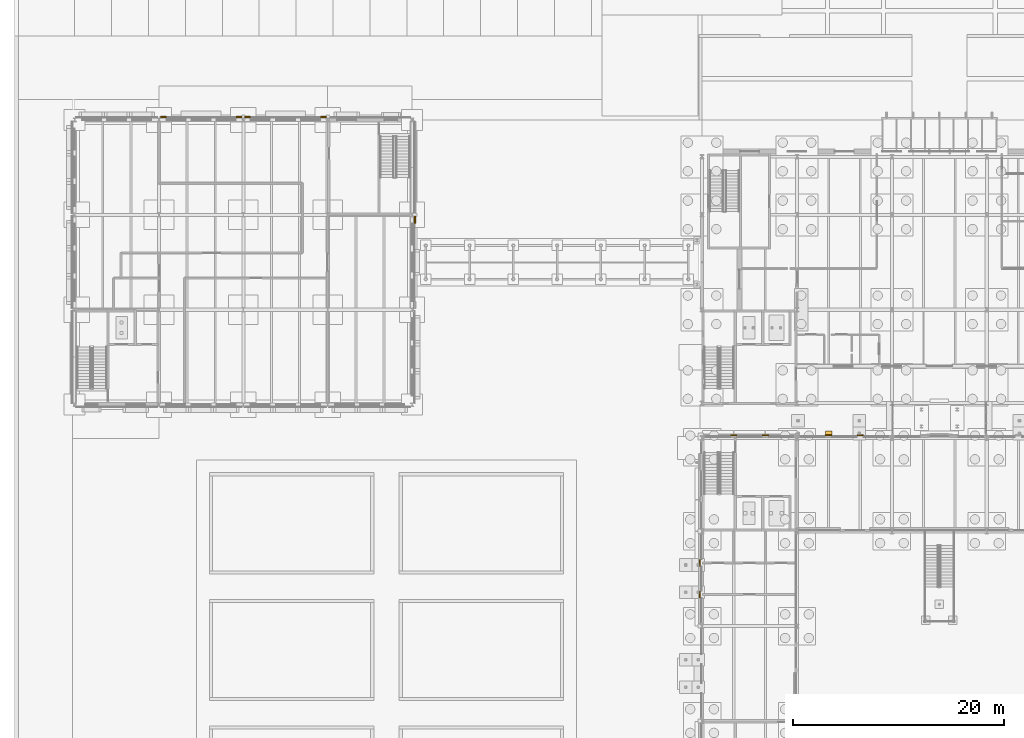
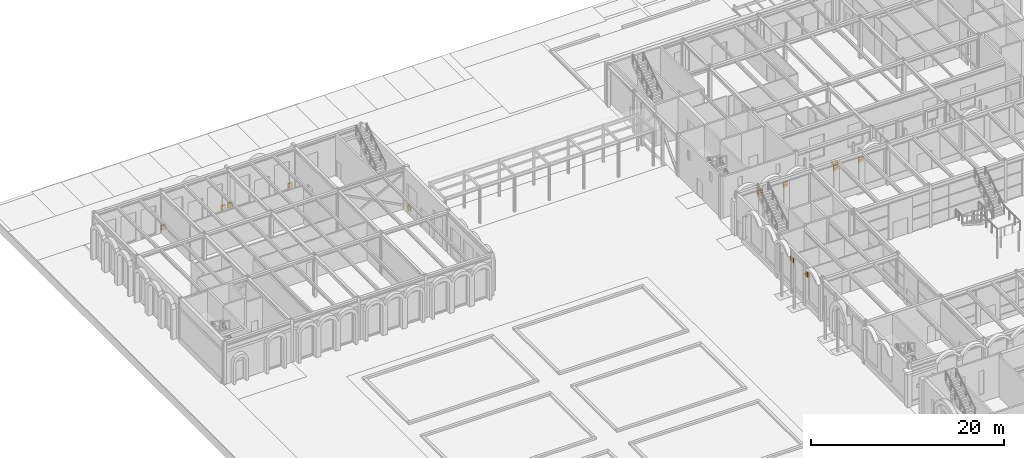
# One storey, part 123 of 126: 18 coverings.
"""IFC4 building model written with IfcOpenShell, lengths in metres."""

from ifc_helpers import new_model, si_unit, direction, frame, origin, origin_2d, place, context, subcontext, project, spatial, rectangle, extrude, material, layer, layer_set, type_object, element, save


model = new_model("IFC4")

# Units and contexts
model_context = context("Model", 3, precision=1e-05, world=origin(), true_north=direction((0.0, 1.0)))
body_context = subcontext(model_context, "Body", "Model", "MODEL_VIEW")
ifc_project = project(units=[si_unit("LENGTHUNIT", "METRE"), si_unit("AREAUNIT", "SQUARE_METRE"), si_unit("VOLUMEUNIT", "CUBIC_METRE"), si_unit("PLANEANGLEUNIT", "RADIAN"), si_unit("MASSUNIT", "GRAM", prefix="KILO")], contexts=[model_context])

# Site, building, storey
site_placement = place(None, origin())
site = spatial("IfcSite", under=ifc_project, at=site_placement, CompositionType="ELEMENT")
building_placement = place(site_placement, origin())
building = spatial("IfcBuilding", under=site, at=building_placement, Name="Kallimachos Central Library", CompositionType="ELEMENT")
storey_placement = place(building_placement, origin())
storey = spatial("IfcBuildingStorey", under=building, at=storey_placement, Name="L00", CompositionType="ELEMENT", Elevation=0.0)

# Coverings
ifc_material_1 = material(Name="Glazed ceramic frieze, green")
ifc_layer_1 = layer(ifc_material_1, 0.10009765625)
ifc_layer_set_1 = layer_set([ifc_layer_1], Name="Glazed ceramic frieze, green")
covering_type_1 = type_object("IfcCoveringType", Name="Glazed ceramic frieze, green", PredefinedType="CLADDING", material=ifc_layer_set_1)
for number, where, z_axis, x_axis, name in (
    (1, (68.5, 84.115966796875, 4.02978515625), (0.0, 0.0, 1.0), (1.0, 0.0, 0.0), "Glazed ceramic frieze, green -L00-020"),
    (2, (71.5, 84.115966796875, 4.02978515625), (0.0, 0.0, 1.0), (1.0, 0.0, 0.0), "Glazed ceramic frieze, green -L00-020"),
    (3, (77.5, 84.115966796875, 4.02978515625), (0.0, 0.0, 1.0), (1.0, 0.0, 0.0), "Glazed ceramic frieze, green -L00-021"),
    (4, (80.5, 84.115966796875, 4.02978515625), (0.0, 0.0, 1.0), (1.0, 0.0, 0.0), "Glazed ceramic frieze, green -L00-021"),
):
    element("IfcCovering", number, at=place(storey_placement, frame(where, z_axis=z_axis, x_axis=x_axis)), inside=storey, type_object=covering_type_1, Name=name, PredefinedType="CLADDING", context=body_context, shape_type="SweptSolid", body=[
        extrude(rectangle(XDim=0.60009765625, YDim=0.10009765625, at=origin_2d()), origin(), (0.0, 0.0, 1.0), 0.300048828125),
    ])
for number, where, z_axis, x_axis, name in (
    (5, (65.29541015625, 69.0, 4.02978515625), (0.0, 0.0, 1.0), (1.0, 0.0, 0.0), "Glazed ceramic frieze, green -L00-027"),
    (6, (65.29541015625, 72.0, 4.02978515625), (0.0, 0.0, 1.0), (1.0, 0.0, 0.0), "Glazed ceramic frieze, green -L00-027"),
):
    element("IfcCovering", number, at=place(storey_placement, frame(where, z_axis=z_axis, x_axis=x_axis)), inside=storey, type_object=covering_type_1, Name=name, PredefinedType="CLADDING", context=body_context, shape_type="SweptSolid", body=[
        extrude(rectangle(XDim=0.10009765625, YDim=0.60009765625, at=origin_2d()), origin(), (0.0, 0.0, 1.0), 0.300048828125),
    ])
ifc_material_2 = material(Name="Glazed ceramic frieze, ochre")
ifc_layer_2 = layer(ifc_material_2, 0.10009765625)
ifc_layer_set_2 = layer_set([ifc_layer_2], Name="Glazed ceramic frieze, ochre")
covering_type_2 = type_object("IfcCoveringType", Name="Glazed ceramic frieze, ochre", PredefinedType="CLADDING", material=ifc_layer_set_2)
for number, where, z_axis, x_axis, name in (
    (7, (68.5, 84.115966796875, 3.72998046875), (0.0, 0.0, 1.0), (1.0, 0.0, 0.0), "Glazed ceramic frieze, ochre -L00-020"),
    (8, (71.5, 84.115966796875, 3.72998046875), (0.0, 0.0, 1.0), (1.0, 0.0, 0.0), "Glazed ceramic frieze, ochre -L00-020"),
    (9, (77.5, 84.115966796875, 3.72998046875), (0.0, 0.0, 1.0), (1.0, 0.0, 0.0), "Glazed ceramic frieze, ochre -L00-021"),
    (10, (80.5, 84.115966796875, 3.72998046875), (0.0, 0.0, 1.0), (1.0, 0.0, 0.0), "Glazed ceramic frieze, ochre -L00-021"),
):
    element("IfcCovering", number, at=place(storey_placement, frame(where, z_axis=z_axis, x_axis=x_axis)), inside=storey, type_object=covering_type_2, Name=name, PredefinedType="CLADDING", context=body_context, shape_type="SweptSolid", body=[
        extrude(rectangle(XDim=0.60009765625, YDim=0.10009765625, at=origin_2d()), origin(), (0.0, 0.0, 1.0), 0.300048828125),
    ])
for number, where, z_axis, x_axis, name in (
    (11, (65.29541015625, 69.0, 3.72998046875), (0.0, 0.0, 1.0), (1.0, 0.0, 0.0), "Glazed ceramic frieze, ochre -L00-027"),
    (12, (65.29541015625, 72.0, 3.72998046875), (0.0, 0.0, 1.0), (1.0, 0.0, 0.0), "Glazed ceramic frieze, ochre -L00-027"),
):
    element("IfcCovering", number, at=place(storey_placement, frame(where, z_axis=z_axis, x_axis=x_axis)), inside=storey, type_object=covering_type_2, Name=name, PredefinedType="CLADDING", context=body_context, shape_type="SweptSolid", body=[
        extrude(rectangle(XDim=0.10009765625, YDim=0.60009765625, at=origin_2d()), origin(), (0.0, 0.0, 1.0), 0.300048828125),
    ])
ifc_material_3 = material(Name="Pentelic marble cornice", Category="masonry")
ifc_layer_3 = layer(ifc_material_3, 0.449951171875)
ifc_layer_set_3 = layer_set([ifc_layer_3], Name="Stone cornice 450")
covering_type_3 = type_object("IfcCoveringType", Name="Stone cornice 450", PredefinedType="MOLDING", material=ifc_layer_set_3)
covering_1_placement = place(storey_placement, frame((77.5, 84.291015625, 4.35009765625), z_axis=(0.0, 0.0, 1.0), x_axis=(1.0, 0.0, 0.0)))
element("IfcCovering", 13, at=covering_1_placement, inside=storey, type_object=covering_type_3, Name="Stone cornice 450 -L00-021", PredefinedType="MOLDING", context=body_context, shape_type="SweptSolid", body=[
    extrude(rectangle(XDim=0.60009765625, YDim=0.449951171875, at=origin_2d()), origin(), (0.0, 0.0, 1.0), 0.300048828125),
])
ifc_material_4 = material(Name="Pentelic marble plinth course", Category="masonry")
ifc_layer_4 = layer(ifc_material_4, 0.14990234375)
ifc_layer_set_4 = layer_set([ifc_layer_4], Name="Stone plinth course 600")
covering_type_4 = type_object("IfcCoveringType", Name="Stone plinth course 600", PredefinedType="CLADDING", material=ifc_layer_set_4)
for number, where, z_axis, x_axis, name in (
    (14, (14.41259765625, 114.27490234375, 0.0), (0.0, 0.0, 1.0), (1.0, 0.0, 0.0), "Stone plinth course 600 -L00-010"),
    (15, (21.58740234375, 114.27490234375, 0.0), (0.0, 0.0, 1.0), (1.0, 0.0, 0.0), "Stone plinth course 600 -L00-010"),
    (16, (22.41259765625, 114.27490234375, 0.0), (0.0, 0.0, 1.0), (1.0, 0.0, 0.0), "Stone plinth course 600 -L00-011"),
    (17, (29.58740234375, 114.27490234375, 0.0), (0.0, 0.0, 1.0), (1.0, 0.0, 0.0), "Stone plinth course 600 -L00-011"),
):
    element("IfcCovering", number, at=place(storey_placement, frame(where, z_axis=z_axis, x_axis=x_axis)), inside=storey, type_object=covering_type_4, Name=name, PredefinedType="CLADDING", context=body_context, shape_type="SweptSolid", body=[
        extrude(rectangle(XDim=0.52490234375, YDim=0.14990234375, at=origin_2d()), origin(), (0.0, 0.0, 1.0), 0.60009765625),
    ])
covering_2_placement = place(storey_placement, frame((38.27490234375, 104.53759765625, 0.0), z_axis=(0.0, 0.0, 1.0), x_axis=(1.0, 0.0, 0.0)))
element("IfcCovering", 18, at=covering_2_placement, inside=storey, type_object=covering_type_4, Name="Stone plinth course 600 -L00-017", PredefinedType="CLADDING", context=body_context, shape_type="SweptSolid", body=[
    extrude(rectangle(XDim=0.14990234375, YDim=0.625, at=origin_2d()), origin(), (0.0, 0.0, 1.0), 0.60009765625),
])

save(model, "model.ifc")
